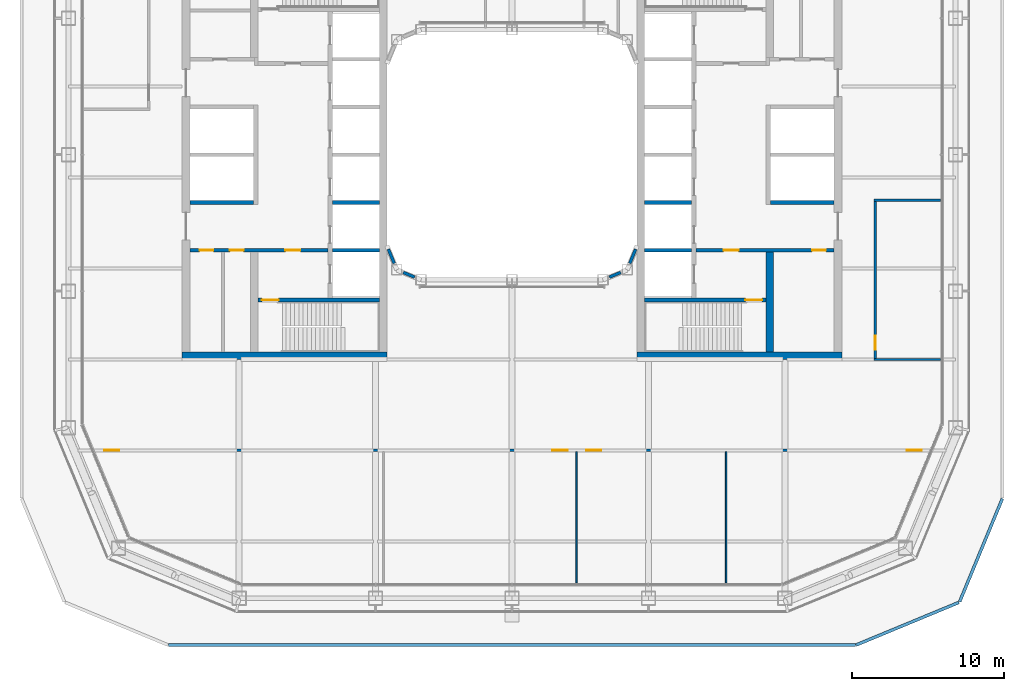
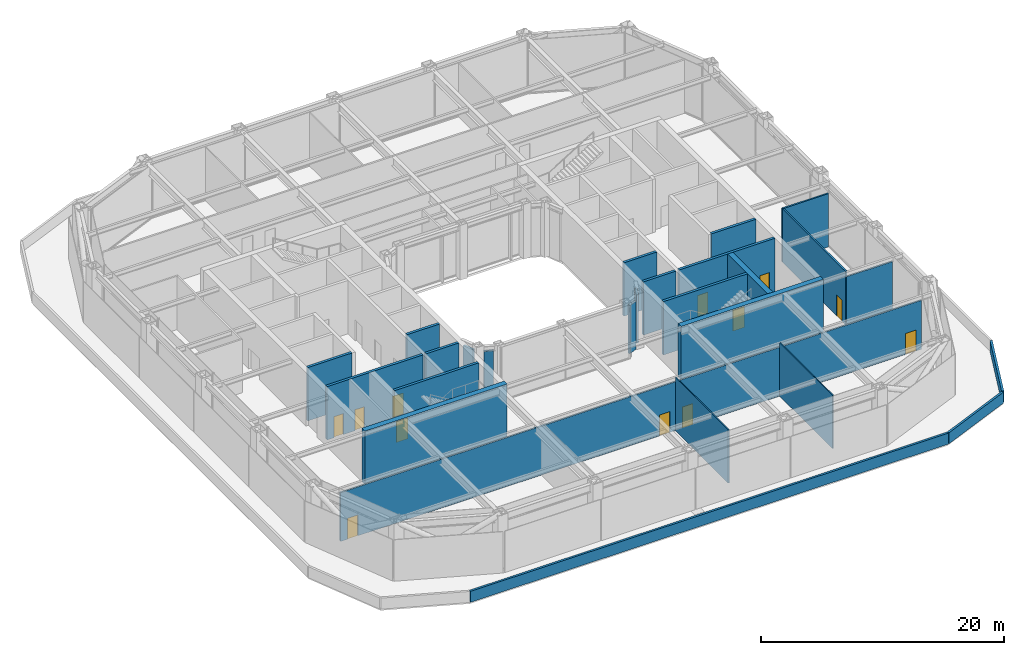
# One storey, part 11 of 21: 26 walls, 12 doors, 12 openings.
"""IFC4 building model written with IfcOpenShell, lengths in metres."""

import ifcopenshell
import ifcopenshell.guid

model = None  # the IFC model being written
_history = None  # IfcOwnerHistory: only IFC2X3 demands one
_inside = {}  # id of a spatial element -> (the spatial element, [elements in it])
_under = {}  # id of a project, library or spatial element -> (it, [spatial elements below it])
_declared = {}  # id of a project -> (the project, [libraries it declares])
_typed = {}  # id of a type object -> (the type object, [elements of that type])
_made_of = {}  # id of a material, layer set ... -> (it, [elements and type objects made of it])


def new_model(schema):
    """Start an empty IFC model of exactly this schema.

    Asked for "IFC4X3", IfcOpenShell would pick the latest addendum, in which some entities
    have other attributes; the version numbers below select the first issue.
    IFC2X3 requires an IfcOwnerHistory on every rooted entity: one is made here for all.
    """
    global model, _history
    if schema == "IFC4X3":
        model = ifcopenshell.file(schema_version=(4, 3, 0, 0))
    else:
        model = ifcopenshell.file(schema=schema)
    _inside.clear()
    _under.clear()
    _declared.clear()
    _typed.clear()
    _made_of.clear()
    _history = None
    if model.schema == "IFC2X3":
        org = make("IfcOrganization", Name="unknown")
        user = make(
            "IfcPersonAndOrganization",
            ThePerson=make("IfcPerson", FamilyName="unknown"),
            TheOrganization=org,
        )
        app = make(
            "IfcApplication",
            ApplicationDeveloper=org,
            Version="unknown",
            ApplicationFullName="unknown",
            ApplicationIdentifier="unknown",
        )
        _history = make(
            "IfcOwnerHistory",
            OwningUser=user,
            OwningApplication=app,
            ChangeAction="ADDED",
            CreationDate=0,
        )
    return model


def make(cls, **values):
    """One entity of the class cls with the attributes given. An attribute that is None is left unset."""
    return model.create_entity(
        cls, **{name: value for name, value in values.items() if value is not None}
    )


def rooted(cls, **values):
    """An entity with a GlobalId (a new one), such as an element, a storey or a relation."""
    return make(cls, GlobalId=ifcopenshell.guid.new(), OwnerHistory=_history, **values)


def si_unit(unit_type, name, prefix=None):
    """IfcSIUnit, for example si_unit("LENGTHUNIT", "METRE", prefix="MILLI")."""
    return make("IfcSIUnit", UnitType=unit_type, Prefix=prefix, Name=name)


def assignment(units):
    """IfcUnitAssignment: the units of a project."""
    return None if units is None else make("IfcUnitAssignment", Units=units)


def point(xyz):
    """IfcCartesianPoint."""
    return None if xyz is None else make("IfcCartesianPoint", Coordinates=xyz)


def direction(xyz):
    """IfcDirection."""
    return None if xyz is None else make("IfcDirection", DirectionRatios=xyz)


def frame(location, z_axis=None, x_axis=None):
    """IfcAxis2Placement3D, a coordinate frame: its origin and axes. An axis left out is left unset."""
    return make(
        "IfcAxis2Placement3D",
        Location=point(location),
        Axis=direction(z_axis),
        RefDirection=direction(x_axis),
    )


def frame_2d(location, x_axis=None):
    """IfcAxis2Placement2D, a coordinate frame in the plane: its origin and x axis."""
    return make(
        "IfcAxis2Placement2D", Location=point(location), RefDirection=direction(x_axis)
    )


def origin():
    """The frame at (0, 0, 0) with its axes left unset."""
    return frame((0.0, 0.0, 0.0))


def place(relative_to, where):
    """IfcLocalPlacement: puts the frame where relative to a parent placement (None: the world)."""
    return make(
        "IfcLocalPlacement", PlacementRelTo=relative_to, RelativePlacement=where
    )


def context(
    kind, dimensions, precision=None, world=None, true_north=None, identifier=None
):
    """IfcGeometricRepresentationContext, for example the 3D "Model" context."""
    return make(
        "IfcGeometricRepresentationContext",
        ContextIdentifier=identifier,
        ContextType=kind,
        CoordinateSpaceDimension=dimensions,
        Precision=precision,
        WorldCoordinateSystem=world,
        TrueNorth=true_north,
    )


def subcontext(parent, identifier, kind, view, scale=None):
    """IfcGeometricRepresentationSubContext, for example "Body" below "Model"."""
    return make(
        "IfcGeometricRepresentationSubContext",
        ContextIdentifier=identifier,
        ContextType=kind,
        ParentContext=parent,
        TargetScale=scale,
        TargetView=view,
    )


def project(units=None, contexts=None):
    """IfcProject with its units and contexts."""
    return rooted(
        "IfcProject",
        Name="project",
        RepresentationContexts=contexts,
        UnitsInContext=assignment(units),
    )


def spatial(cls, under=None, at=None, **own):
    """A site, building, storey or space (cls), placed at a placement, below another one or the project."""
    s = rooted(cls, ObjectPlacement=at, **own)
    if under is not None:
        _under.setdefault(under.id(), (under, []))[1].append(s)
    return s


def profile(cls, at=None, kind="AREA", **sizes):
    """A parametric profile (cls). Its sizes go by their IFC names, for example OverallWidth=200.0."""
    return make(cls, ProfileType=kind, Position=at, **sizes)


def rectangle(**sizes):
    """IfcRectangleProfileDef."""
    return profile("IfcRectangleProfileDef", **sizes)


def extrude(swept, where, along, depth):
    """IfcExtrudedAreaSolid: the profile swept, set in the frame where, extruded along a direction by depth."""
    return make(
        "IfcExtrudedAreaSolid",
        SweptArea=swept,
        Position=where,
        ExtrudedDirection=direction(along),
        Depth=depth,
    )


def shape(context_of_items, identifier, shape_type, items):
    """IfcShapeRepresentation: the items that make up one representation, for example the "Body"."""
    return make(
        "IfcShapeRepresentation",
        ContextOfItems=context_of_items,
        RepresentationIdentifier=identifier,
        RepresentationType=shape_type,
        Items=items,
    )


def material(Name=None, Category=None):
    """IfcMaterial."""
    return make("IfcMaterial", Name=Name, Category=Category)


def layer(
    of_material, thickness, ventilated=None, Name=None, Category=None, Priority=None
):
    """IfcMaterialLayer: one layer of a wall or slab, of a material (None: an air gap)."""
    return make(
        "IfcMaterialLayer",
        Material=of_material,
        LayerThickness=thickness,
        IsVentilated=ventilated,
        Name=Name,
        Category=Category,
        Priority=Priority,
    )


def layer_set(layers, Name=None):
    """IfcMaterialLayerSet."""
    return make("IfcMaterialLayerSet", MaterialLayers=layers, LayerSetName=Name)


def made_of(thing, what):
    """Note that an element or type object is made of a material, layer set ...; save() writes the relation."""
    if what is not None:
        _made_of.setdefault(what.id(), (what, []))[1].append(thing)
    return thing


def type_object(cls, material=None, **own):
    """A type object (cls), such as IfcWallType, which elements share."""
    return made_of(rooted(cls, **own), material)


def element(
    cls,
    number,
    at=None,
    inside=None,
    cuts=None,
    type_object=None,
    material=None,
    context=None,
    identifier="Body",
    shape_type=None,
    held_by="IfcProductDefinitionShape",
    body=None,
    shapes=None,
    **own,
):
    """One element of the class cls, such as IfcWall. Its Tag is "e" and its number.

    at: its placement. inside: the storey or other place that contains it. cuts: it is an
    opening in that element (IfcRelVoidsElement). A single representation is given by context,
    identifier, shape_type and body (its items); several are given by shapes. held_by: the class
    of the entity that holds the representations. save() writes the other relations.
    """
    e = rooted(cls, Tag="e%d" % number, ObjectPlacement=at, **own)
    if body is not None:
        shapes = [shape(context, identifier, shape_type, body)]
    if shapes is not None:
        e.Representation = make(held_by, Representations=shapes)
    if inside is not None:
        _inside.setdefault(inside.id(), (inside, []))[1].append(e)
    if cuts is not None:
        rooted(
            "IfcRelVoidsElement", RelatingBuildingElement=cuts, RelatedOpeningElement=e
        )
    if type_object is not None:
        _typed.setdefault(type_object.id(), (type_object, []))[1].append(e)
    return made_of(e, material)


def fill(opening, filler):
    """IfcRelFillsElement: the door or window that sits in an opening."""
    return rooted(
        "IfcRelFillsElement",
        RelatingOpeningElement=opening,
        RelatedBuildingElement=filler,
    )


def aggregate(whole, parts):
    """IfcRelAggregates: a whole, such as a stair, and the parts it consists of."""
    return rooted("IfcRelAggregates", RelatingObject=whole, RelatedObjects=parts)


def save(model, path):
    """Write the relations noted so far, then the file.

    IfcRelAggregates (storeys below a building ...), IfcRelContainedInSpatialStructure (elements
    in a storey), IfcRelDefinesByType, IfcRelAssociatesMaterial and IfcRelDeclares: one each for
    every whole, place, type object, material and project.
    """
    for whole, parts in _under.values():
        aggregate(whole, parts)
    for where, things in _inside.values():
        rooted(
            "IfcRelContainedInSpatialStructure",
            RelatedElements=things,
            RelatingStructure=where,
        )
    for kind, things in _typed.values():
        rooted("IfcRelDefinesByType", RelatedObjects=things, RelatingType=kind)
    for what, things in _made_of.values():
        rooted("IfcRelAssociatesMaterial", RelatedObjects=things, RelatingMaterial=what)
    for by, libraries in _declared.values():
        rooted("IfcRelDeclares", RelatingContext=by, RelatedDefinitions=libraries)
    model.write(path)


model = new_model("IFC4")

# Units and contexts
model_context = context("Model", 3, precision=1e-05, world=origin(), true_north=direction((0.0, 1.0)))
body_context = subcontext(model_context, "Body", "Model", "MODEL_VIEW")
ifc_project = project(units=[si_unit("LENGTHUNIT", "METRE"), si_unit("AREAUNIT", "SQUARE_METRE"), si_unit("VOLUMEUNIT", "CUBIC_METRE"), si_unit("PLANEANGLEUNIT", "RADIAN"), si_unit("MASSUNIT", "GRAM", prefix="KILO")], contexts=[model_context])

# Site, building, storey
site_placement = place(None, origin())
site = spatial("IfcSite", under=ifc_project, at=site_placement, CompositionType="ELEMENT")
building_placement = place(site_placement, origin())
building = spatial("IfcBuilding", under=site, at=building_placement, Name="Siwar Civic Tower", CompositionType="ELEMENT")
storey_placement = place(building_placement, frame((0.0, 0.0, 99.199951171875)))
storey = spatial("IfcBuildingStorey", under=building, at=storey_placement, Name="L21", CompositionType="ELEMENT", Elevation=99.199951171875)

# Walls
ifc_material_1 = material(Name="Gypsum board on steel studs", Category="steel")
ifc_layer_1 = layer(ifc_material_1, 0.14990234375)
ifc_layer_set_1 = layer_set([ifc_layer_1], Name="Gypsum board on steel studs")
wall_type_1 = type_object("IfcWallType", Name="COMPARTMENT PARTITION 150 EI 60", PredefinedType="PARTITIONING", material=ifc_layer_set_1)
wall_1_placement = place(storey_placement, frame((23.875, -13.5, 0.0), z_axis=(0.0, 0.0, 1.0), x_axis=(1.0, 0.0, 0.0)))
element("IfcWall", 1, at=wall_1_placement, inside=storey, type_object=wall_type_1, Name="L21/wall/P02", PredefinedType="PARTITIONING", context=body_context, shape_type="SweptSolid", body=[
    extrude(rectangle(XDim=4.385009765625, YDim=0.14990234375, at=frame_2d((2.1923828125, 0.0))), origin(), (0.0, 0.0, 1.0), 4.900146484375),
])
wall_2_placement = place(storey_placement, frame((23.875, -3.0, 0.0), z_axis=(0.0, 0.0, 1.0), x_axis=(1.0, 0.0, 0.0)))
element("IfcWall", 2, at=wall_2_placement, inside=storey, type_object=wall_type_1, Name="L21/wall/P03", PredefinedType="PARTITIONING", context=body_context, shape_type="SweptSolid", body=[
    extrude(rectangle(XDim=4.385009765625, YDim=0.14990234375, at=frame_2d((2.1923828125, 0.0))), origin(), (0.0, 0.0, 1.0), 5.35009765625),
])

# Wall, opening, door
wall_3_placement = place(storey_placement, frame((23.949951171875, -13.425048828125, 0.0), z_axis=(0.0, 0.0, 1.0), x_axis=(0.0, 1.0, 0.0)))
wall_3 = element("IfcWall", 3, at=wall_3_placement, inside=storey, type_object=wall_type_1, Name="L21/wall/P20", PredefinedType="PARTITIONING", context=body_context, shape_type="SweptSolid", body=[
    extrude(rectangle(XDim=10.35009765625, YDim=0.14990234375, at=frame_2d((5.175048828125, 0.0))), origin(), (0.0, 0.0, 1.0), 5.35009765625),
])
opening_1_placement = place(wall_3_placement, frame((0.574951171875, 0.0, 0.0)))
opening_1 = element("IfcOpeningElement", 4, at=opening_1_placement, cuts=wall_3, Name="Opening D4", PredefinedType="OPENING", context=body_context, shape_type="SweptSolid", body=[
    extrude(rectangle(XDim=0.89990234375, YDim=2.10009765625, at=frame_2d((0.449951171875, 1.050048828125))), frame((0.0, 0.0849609375, 0.0), z_axis=(0.0, -1.0, 0.0), x_axis=(1.0, 0.0, 0.0)), (0.0, 0.0, 1.0), 0.169921875),
])
ifc_material_2 = material(Name="Timber, painted", Category="wood")
door_type_1 = type_object("IfcDoorType", Name="DOOR 900 X 2100 FD60", OperationType="SINGLE_SWING_LEFT", PredefinedType="DOOR", material=ifc_material_2)
door_1_placement = place(opening_1_placement, origin())
door_1 = element("IfcDoor", 5, at=door_1_placement, inside=storey, type_object=door_type_1, Name="L21-D15", OperationType="SINGLE_SWING_LEFT", OverallHeight=2.10009765625, OverallWidth=0.89990234375, PredefinedType="DOOR", context=body_context, shape_type="SweptSolid", body=[
    extrude(rectangle(XDim=0.89990234375, YDim=2.10009765625, at=frame_2d((0.449951171875, 1.050048828125))), frame((0.0, 0.02490234375, 0.0), z_axis=(0.0, -1.0, 0.0), x_axis=(1.0, 0.0, 0.0)), (0.0, 0.0, 1.0), 0.050048828125),
])
fill(opening_1, door_1)

# Wall, openings, doors
ifc_material_3 = material(Name="Concrete C60/75", Category="concrete")
ifc_layer_2 = layer(ifc_material_3, 0.25)
ifc_layer_set_2 = layer_set([ifc_layer_2], Name="Concrete C60/75")
wall_type_2 = type_object("IfcWallType", Name="CORE-WALL-RC250", PredefinedType="SHEAR", material=ifc_layer_set_2)
wall_4_placement = place(storey_placement, frame((-12.14990234375, -6.300048828125, 0.0), z_axis=(0.0, 0.0, 1.0), x_axis=(-1.0, 0.0, 0.0)))
wall_4 = element("IfcWall", 6, at=wall_4_placement, inside=storey, type_object=wall_type_2, Name="Core wall W", PredefinedType="SHEAR", context=body_context, shape_type="SweptSolid", body=[
    extrude(rectangle(XDim=9.10009765625, YDim=0.25, at=frame_2d((4.550048828125, 0.0))), origin(), (0.0, 0.0, 1.0), 5.35009765625),
])
opening_2_placement = place(wall_4_placement, frame((1.800048828125, 0.0, 0.0)))
opening_2 = element("IfcOpeningElement", 7, at=opening_2_placement, cuts=wall_4, Name="Opening L21-CW02", PredefinedType="OPENING", context=body_context, shape_type="SweptSolid", body=[
    extrude(rectangle(XDim=1.0, YDim=2.10009765625, at=frame_2d((0.5, 1.050048828125))), frame((0.0, 0.135009765625, 0.0), z_axis=(0.0, -1.0, 0.0), x_axis=(1.0, 0.0, 0.0)), (0.0, 0.0, 1.0), 0.27001953125),
])
opening_3_placement = place(wall_4_placement, frame((5.550048828125, 0.0, 0.0)))
opening_3 = element("IfcOpeningElement", 8, at=opening_3_placement, cuts=wall_4, Name="Opening L21-CW15", PredefinedType="OPENING", context=body_context, shape_type="SweptSolid", body=[
    extrude(rectangle(XDim=0.89990234375, YDim=2.10009765625, at=frame_2d((0.449951171875, 1.050048828125))), frame((0.0, 0.135009765625, 0.0), z_axis=(0.0, -1.0, 0.0), x_axis=(1.0, 0.0, 0.0)), (0.0, 0.0, 1.0), 0.27001953125),
])
opening_4_placement = place(wall_4_placement, frame((7.550048828125, 0.0, 0.0)))
opening_4 = element("IfcOpeningElement", 9, at=opening_4_placement, cuts=wall_4, Name="Opening L21-CW16", PredefinedType="OPENING", context=body_context, shape_type="SweptSolid", body=[
    extrude(rectangle(XDim=0.89990234375, YDim=2.10009765625, at=frame_2d((0.449951171875, 1.050048828125))), frame((0.0, 0.135009765625, 0.0), z_axis=(0.0, -1.0, 0.0), x_axis=(1.0, 0.0, 0.0)), (0.0, 0.0, 1.0), 0.27001953125),
])
ifc_material_4 = material(Name="Steel door leaf", Category="steel")
door_type_2 = type_object("IfcDoorType", Name="CORE-DOOR-FD30S", OperationType="SINGLE_SWING_LEFT", PredefinedType="DOOR", material=ifc_material_4)
door_2_placement = place(opening_2_placement, origin())
door_2 = element("IfcDoor", 10, at=door_2_placement, inside=storey, type_object=door_type_2, Name="Service lobby door L21-CW02", OperationType="SINGLE_SWING_RIGHT", OverallHeight=2.10009765625, OverallWidth=1.0, PredefinedType="DOOR", context=body_context, shape_type="SweptSolid", body=[
    extrude(rectangle(XDim=1.0, YDim=2.10009765625, at=frame_2d((0.5, 1.050048828125))), frame((0.0, 0.02490234375, 0.0), z_axis=(0.0, -1.0, 0.0), x_axis=(1.0, 0.0, 0.0)), (0.0, 0.0, 1.0), 0.050048828125),
])
fill(opening_2, door_2)
ifc_material_5 = material(Name="Steel door leaf", Category="steel")
door_type_3 = type_object("IfcDoorType", Name="CORE-DOOR-ROOM", OperationType="SINGLE_SWING_LEFT", PredefinedType="DOOR", material=ifc_material_5)
door_3_placement = place(opening_3_placement, origin())
door_3 = element("IfcDoor", 11, at=door_3_placement, inside=storey, type_object=door_type_3, Name="Core room door L21-CW15", OperationType="SINGLE_SWING_LEFT", OverallHeight=2.10009765625, OverallWidth=0.89990234375, PredefinedType="DOOR", context=body_context, shape_type="SweptSolid", body=[
    extrude(rectangle(XDim=0.89990234375, YDim=2.10009765625, at=frame_2d((0.449951171875, 1.050048828125))), frame((0.0, 0.02490234375, 0.0), z_axis=(0.0, -1.0, 0.0), x_axis=(1.0, 0.0, 0.0)), (0.0, 0.0, 1.0), 0.050048828125),
])
fill(opening_3, door_3)
door_4_placement = place(opening_4_placement, origin())
door_4 = element("IfcDoor", 12, at=door_4_placement, inside=storey, type_object=door_type_3, Name="Core room door L21-CW16", OperationType="SINGLE_SWING_RIGHT", OverallHeight=2.10009765625, OverallWidth=0.89990234375, PredefinedType="DOOR", context=body_context, shape_type="SweptSolid", body=[
    extrude(rectangle(XDim=0.89990234375, YDim=2.10009765625, at=frame_2d((0.449951171875, 1.050048828125))), frame((0.0, 0.02490234375, 0.0), z_axis=(0.0, -1.0, 0.0), x_axis=(1.0, 0.0, 0.0)), (0.0, 0.0, 1.0), 0.050048828125),
])
fill(opening_4, door_4)

# Walls
wall_5_placement = place(storey_placement, frame((-17.050048828125, -3.14990234375, 0.0), z_axis=(0.0, 0.0, 1.0), x_axis=(-1.0, 0.0, 0.0)))
element("IfcWall", 13, at=wall_5_placement, inside=storey, type_object=wall_type_2, Name="Core wall W", PredefinedType="SHEAR", context=body_context, shape_type="SweptSolid", body=[
    extrude(rectangle(XDim=4.199951171875, YDim=0.25, at=frame_2d((2.10009765625, 0.0))), origin(), (0.0, 0.0, 1.0), 5.35009765625),
])
for number, where, z_axis, x_axis, name in (
    (14, (-8.75, -3.14990234375, 0.0), (0.0, 0.0, 1.0), (-1.0, 0.0, 0.0), "Core wall W"),
    (15, (-8.75, -6.300048828125, 0.0), (0.0, 0.0, 1.0), (-1.0, 0.0, 0.0), "Core wall W"),
):
    element("IfcWall", number, at=place(storey_placement, frame(where, z_axis=z_axis, x_axis=x_axis)), inside=storey, type_object=wall_type_2, Name=name, PredefinedType="SHEAR", context=body_context, shape_type="SweptSolid", body=[
        extrude(rectangle(XDim=3.10009765625, YDim=0.25, at=frame_2d((1.550048828125, 0.0))), origin(), (0.0, 0.0, 1.0), 5.35009765625),
    ])

# Wall, opening, door
wall_6_placement = place(storey_placement, frame((-8.75, -9.574951171875, 0.0), z_axis=(0.0, 0.0, 1.0), x_axis=(-1.0, 0.0, 0.0)))
wall_6 = element("IfcWall", 16, at=wall_6_placement, inside=storey, type_object=wall_type_2, Name="Core wall W", PredefinedType="SHEAR", context=body_context, shape_type="SweptSolid", body=[
    extrude(rectangle(XDim=8.0, YDim=0.25, at=frame_2d((4.0, 0.0))), origin(), (0.0, 0.0, 1.0), 5.35009765625),
])
opening_5_placement = place(wall_6_placement, frame((6.64990234375, 0.0, 0.0)))
opening_5 = element("IfcOpeningElement", 17, at=opening_5_placement, cuts=wall_6, Name="Opening L21-CW04", PredefinedType="OPENING", context=body_context, shape_type="SweptSolid", body=[
    extrude(rectangle(XDim=1.10009765625, YDim=2.10009765625, at=frame_2d((0.550048828125, 1.050048828125))), frame((0.0, 0.135009765625, 0.0), z_axis=(0.0, -1.0, 0.0), x_axis=(1.0, 0.0, 0.0)), (0.0, 0.0, 1.0), 0.27001953125),
])
ifc_material_6 = material(Name="Steel door leaf", Category="steel")
door_type_4 = type_object("IfcDoorType", Name="CORE-DOOR-FD60S", OperationType="SINGLE_SWING_LEFT", PredefinedType="DOOR", material=ifc_material_6)
door_5_placement = place(opening_5_placement, origin())
door_5 = element("IfcDoor", 18, at=door_5_placement, inside=storey, type_object=door_type_4, Name="Stair door L21-CW04", OperationType="SINGLE_SWING_LEFT", OverallHeight=2.10009765625, OverallWidth=1.10009765625, PredefinedType="DOOR", context=body_context, shape_type="SweptSolid", body=[
    extrude(rectangle(XDim=1.10009765625, YDim=2.10009765625, at=frame_2d((0.550048828125, 1.050048828125))), frame((0.0, 0.02490234375, 0.0), z_axis=(0.0, -1.0, 0.0), x_axis=(1.0, 0.0, 0.0)), (0.0, 0.0, 1.0), 0.050048828125),
])
fill(opening_5, door_5)

# Wall, openings, doors
wall_7_placement = place(storey_placement, frame((12.14990234375, -6.300048828125, 0.0), z_axis=(0.0, 0.0, 1.0), x_axis=(1.0, 0.0, 0.0)))
wall_7 = element("IfcWall", 19, at=wall_7_placement, inside=storey, type_object=wall_type_2, Name="Core wall E", PredefinedType="SHEAR", context=body_context, shape_type="SweptSolid", body=[
    extrude(rectangle(XDim=9.10009765625, YDim=0.25, at=frame_2d((4.550048828125, 0.0))), origin(), (0.0, 0.0, 1.0), 5.35009765625),
])
opening_6_placement = place(wall_7_placement, frame((1.800048828125, 0.0, 0.0)))
opening_6 = element("IfcOpeningElement", 20, at=opening_6_placement, cuts=wall_7, Name="Opening L21-CE02", PredefinedType="OPENING", context=body_context, shape_type="SweptSolid", body=[
    extrude(rectangle(XDim=1.0, YDim=2.10009765625, at=frame_2d((0.5, 1.050048828125))), frame((0.0, 0.135009765625, 0.0), z_axis=(0.0, -1.0, 0.0), x_axis=(1.0, 0.0, 0.0)), (0.0, 0.0, 1.0), 0.27001953125),
])
opening_7_placement = place(wall_7_placement, frame((7.64990234375, 0.0, 0.0)))
opening_7 = element("IfcOpeningElement", 21, at=opening_7_placement, cuts=wall_7, Name="Opening L21-CE15", PredefinedType="OPENING", context=body_context, shape_type="SweptSolid", body=[
    extrude(rectangle(XDim=0.89990234375, YDim=2.10009765625, at=frame_2d((0.449951171875, 1.050048828125))), frame((0.0, 0.135009765625, 0.0), z_axis=(0.0, -1.0, 0.0), x_axis=(1.0, 0.0, 0.0)), (0.0, 0.0, 1.0), 0.27001953125),
])
door_6_placement = place(opening_6_placement, origin())
door_6 = element("IfcDoor", 22, at=door_6_placement, inside=storey, type_object=door_type_2, Name="Service lobby door L21-CE02", OperationType="SINGLE_SWING_LEFT", OverallHeight=2.10009765625, OverallWidth=1.0, PredefinedType="DOOR", context=body_context, shape_type="SweptSolid", body=[
    extrude(rectangle(XDim=1.0, YDim=2.10009765625, at=frame_2d((0.5, 1.050048828125))), frame((0.0, 0.02490234375, 0.0), z_axis=(0.0, -1.0, 0.0), x_axis=(1.0, 0.0, 0.0)), (0.0, 0.0, 1.0), 0.050048828125),
])
fill(opening_6, door_6)
door_7_placement = place(opening_7_placement, origin())
door_7 = element("IfcDoor", 23, at=door_7_placement, inside=storey, type_object=door_type_3, Name="Core room door L21-CE15", OperationType="SINGLE_SWING_RIGHT", OverallHeight=2.10009765625, OverallWidth=0.89990234375, PredefinedType="DOOR", context=body_context, shape_type="SweptSolid", body=[
    extrude(rectangle(XDim=0.89990234375, YDim=2.10009765625, at=frame_2d((0.449951171875, 1.050048828125))), frame((0.0, 0.02490234375, 0.0), z_axis=(0.0, -1.0, 0.0), x_axis=(1.0, 0.0, 0.0)), (0.0, 0.0, 1.0), 0.050048828125),
])
fill(opening_7, door_7)

# Walls
wall_8_placement = place(storey_placement, frame((17.050048828125, -3.14990234375, 0.0), z_axis=(0.0, 0.0, 1.0), x_axis=(1.0, 0.0, 0.0)))
element("IfcWall", 24, at=wall_8_placement, inside=storey, type_object=wall_type_2, Name="Core wall E", PredefinedType="SHEAR", context=body_context, shape_type="SweptSolid", body=[
    extrude(rectangle(XDim=4.199951171875, YDim=0.25, at=frame_2d((2.10009765625, 0.0))), origin(), (0.0, 0.0, 1.0), 5.35009765625),
])
for number, where, z_axis, x_axis, name in (
    (25, (8.75, -3.14990234375, 0.0), (0.0, 0.0, 1.0), (1.0, 0.0, 0.0), "Core wall E"),
    (26, (8.75, -6.300048828125, 0.0), (0.0, 0.0, 1.0), (1.0, 0.0, 0.0), "Core wall E"),
):
    element("IfcWall", number, at=place(storey_placement, frame(where, z_axis=z_axis, x_axis=x_axis)), inside=storey, type_object=wall_type_2, Name=name, PredefinedType="SHEAR", context=body_context, shape_type="SweptSolid", body=[
        extrude(rectangle(XDim=3.10009765625, YDim=0.25, at=frame_2d((1.550048828125, 0.0))), origin(), (0.0, 0.0, 1.0), 5.35009765625),
    ])

# Wall, opening, door
wall_9_placement = place(storey_placement, frame((8.75, -9.574951171875, 0.0), z_axis=(0.0, 0.0, 1.0), x_axis=(1.0, 0.0, 0.0)))
wall_9 = element("IfcWall", 27, at=wall_9_placement, inside=storey, type_object=wall_type_2, Name="Core wall E", PredefinedType="SHEAR", context=body_context, shape_type="SweptSolid", body=[
    extrude(rectangle(XDim=8.0, YDim=0.25, at=frame_2d((4.0, 0.0))), origin(), (0.0, 0.0, 1.0), 5.35009765625),
])
opening_8_placement = place(wall_9_placement, frame((6.64990234375, 0.0, 0.0)))
opening_8 = element("IfcOpeningElement", 28, at=opening_8_placement, cuts=wall_9, Name="Opening L21-CE04", PredefinedType="OPENING", context=body_context, shape_type="SweptSolid", body=[
    extrude(rectangle(XDim=1.10009765625, YDim=2.10009765625, at=frame_2d((0.550048828125, 1.050048828125))), frame((0.0, 0.135009765625, 0.0), z_axis=(0.0, -1.0, 0.0), x_axis=(1.0, 0.0, 0.0)), (0.0, 0.0, 1.0), 0.27001953125),
])
door_8_placement = place(opening_8_placement, origin())
door_8 = element("IfcDoor", 29, at=door_8_placement, inside=storey, type_object=door_type_4, Name="Stair door L21-CE04", OperationType="SINGLE_SWING_RIGHT", OverallHeight=2.10009765625, OverallWidth=1.10009765625, PredefinedType="DOOR", context=body_context, shape_type="SweptSolid", body=[
    extrude(rectangle(XDim=1.10009765625, YDim=2.10009765625, at=frame_2d((0.550048828125, 1.050048828125))), frame((0.0, 0.02490234375, 0.0), z_axis=(0.0, -1.0, 0.0), x_axis=(1.0, 0.0, 0.0)), (0.0, 0.0, 1.0), 0.050048828125),
])
fill(opening_8, door_8)

# Walls
ifc_material_7 = material(Name="Concrete C60/75", Category="concrete")
ifc_layer_3 = layer(ifc_material_7, 0.5)
ifc_layer_set_3 = layer_set([ifc_layer_3], Name="Concrete C60/75")
wall_type_3 = type_object("IfcWallType", Name="CORE-WALL-RC500", PredefinedType="SHEAR", material=ifc_layer_set_3)
wall_10_placement = place(storey_placement, frame((-8.25, -13.25, 0.0), z_axis=(0.0, 0.0, 1.0), x_axis=(-1.0, 0.0, 0.0)))
element("IfcWall", 30, at=wall_10_placement, inside=storey, type_object=wall_type_3, Name="Core wall W", PredefinedType="SHEAR", context=body_context, shape_type="SweptSolid", body=[
    extrude(rectangle(XDim=13.5, YDim=0.5, at=frame_2d((6.75, 0.0))), origin(), (0.0, 0.0, 1.0), 5.35009765625),
])
wall_11_placement = place(storey_placement, frame((17.0, -13.0, 0.0), z_axis=(0.0, 0.0, 1.0), x_axis=(0.0, 1.0, 0.0)))
element("IfcWall", 31, at=wall_11_placement, inside=storey, type_object=wall_type_3, Name="Core wall E", PredefinedType="SHEAR", context=body_context, shape_type="SweptSolid", body=[
    extrude(rectangle(XDim=6.574951171875, YDim=0.5, at=frame_2d((3.28759765625, 0.0))), origin(), (0.0, 0.0, 1.0), 5.35009765625),
])
wall_12_placement = place(storey_placement, frame((8.25, -13.25, 0.0), z_axis=(0.0, 0.0, 1.0), x_axis=(1.0, 0.0, 0.0)))
element("IfcWall", 32, at=wall_12_placement, inside=storey, type_object=wall_type_3, Name="Core wall E", PredefinedType="SHEAR", context=body_context, shape_type="SweptSolid", body=[
    extrude(rectangle(XDim=13.5, YDim=0.5, at=frame_2d((6.75, 0.0))), origin(), (0.0, 0.0, 1.0), 5.35009765625),
])

# Wall, openings, doors
ifc_material_8 = material(Name="Gypsum board on steel studs", Category="steel")
ifc_layer_4 = layer(ifc_material_8, 0.14990234375)
ifc_layer_set_4 = layer_set([ifc_layer_4], Name="Gypsum board on steel studs")
wall_type_4 = type_object("IfcWallType", Name="CORRIDOR PARTITION 150 EI 30", PredefinedType="PARTITIONING", material=ifc_layer_set_4)
wall_13_placement = place(storey_placement, frame((-27.556884765625, -19.5, 0.0), z_axis=(0.0, 0.0, 1.0), x_axis=(1.0, 0.0, 0.0)))
wall_13 = element("IfcWall", 33, at=wall_13_placement, inside=storey, type_object=wall_type_4, Name="L21/wall/P01", PredefinedType="PARTITIONING", context=body_context, shape_type="SweptSolid", body=[
    extrude(rectangle(XDim=55.11376953125, YDim=0.14990234375, at=frame_2d((27.556884765625, 0.0))), origin(), (0.0, 0.0, 1.0), 4.900146484375),
])
opening_9_placement = place(wall_13_placement, frame((0.64990234375, 0.0, 0.0)))
opening_9 = element("IfcOpeningElement", 34, at=opening_9_placement, cuts=wall_13, Name="Opening D1", PredefinedType="OPENING", context=body_context, shape_type="SweptSolid", body=[
    extrude(rectangle(XDim=1.0, YDim=2.10009765625, at=frame_2d((0.5, 1.050048828125))), frame((0.0, 0.0849609375, 0.0), z_axis=(0.0, -1.0, 0.0), x_axis=(1.0, 0.0, 0.0)), (0.0, 0.0, 1.0), 0.169921875),
])
opening_10_placement = place(wall_13_placement, frame((30.22705078125, 0.0, 0.0)))
opening_10 = element("IfcOpeningElement", 35, at=opening_10_placement, cuts=wall_13, Name="Opening D1", PredefinedType="OPENING", context=body_context, shape_type="SweptSolid", body=[
    extrude(rectangle(XDim=1.0, YDim=2.10009765625, at=frame_2d((0.5, 1.050048828125))), frame((0.0, 0.0849609375, 0.0), z_axis=(0.0, -1.0, 0.0), x_axis=(1.0, 0.0, 0.0)), (0.0, 0.0, 1.0), 0.169921875),
])
opening_11_placement = place(wall_13_placement, frame((32.447021484375, 0.0, 0.0)))
opening_11 = element("IfcOpeningElement", 36, at=opening_11_placement, cuts=wall_13, Name="Opening D1", PredefinedType="OPENING", context=body_context, shape_type="SweptSolid", body=[
    extrude(rectangle(XDim=1.0, YDim=2.10009765625, at=frame_2d((0.5, 1.050048828125))), frame((0.0, 0.0849609375, 0.0), z_axis=(0.0, -1.0, 0.0), x_axis=(1.0, 0.0, 0.0)), (0.0, 0.0, 1.0), 0.169921875),
])
opening_12_placement = place(wall_13_placement, frame((53.5869140625, 0.0, 0.0)))
opening_12 = element("IfcOpeningElement", 37, at=opening_12_placement, cuts=wall_13, Name="Opening D1", PredefinedType="OPENING", context=body_context, shape_type="SweptSolid", body=[
    extrude(rectangle(XDim=1.0, YDim=2.10009765625, at=frame_2d((0.5, 1.050048828125))), frame((0.0, 0.0849609375, 0.0), z_axis=(0.0, -1.0, 0.0), x_axis=(1.0, 0.0, 0.0)), (0.0, 0.0, 1.0), 0.169921875),
])
ifc_material_9 = material(Name="Timber, painted", Category="wood")
door_type_5 = type_object("IfcDoorType", Name="DOOR 1000 X 2100 FD30", OperationType="SINGLE_SWING_LEFT", PredefinedType="DOOR", material=ifc_material_9)
door_9_placement = place(opening_9_placement, origin())
door_9 = element("IfcDoor", 38, at=door_9_placement, inside=storey, type_object=door_type_5, Name="L21-D05", OperationType="SINGLE_SWING_LEFT", OverallHeight=2.10009765625, OverallWidth=1.0, PredefinedType="DOOR", context=body_context, shape_type="SweptSolid", body=[
    extrude(rectangle(XDim=1.0, YDim=2.10009765625, at=frame_2d((0.5, 1.050048828125))), frame((0.0, 0.02490234375, 0.0), z_axis=(0.0, -1.0, 0.0), x_axis=(1.0, 0.0, 0.0)), (0.0, 0.0, 1.0), 0.050048828125),
])
fill(opening_9, door_9)
door_10_placement = place(opening_10_placement, origin())
door_10 = element("IfcDoor", 39, at=door_10_placement, inside=storey, type_object=door_type_5, Name="L21-D06", OperationType="SINGLE_SWING_RIGHT", OverallHeight=2.10009765625, OverallWidth=1.0, PredefinedType="DOOR", context=body_context, shape_type="SweptSolid", body=[
    extrude(rectangle(XDim=1.0, YDim=2.10009765625, at=frame_2d((0.5, 1.050048828125))), frame((0.0, 0.02490234375, 0.0), z_axis=(0.0, -1.0, 0.0), x_axis=(1.0, 0.0, 0.0)), (0.0, 0.0, 1.0), 0.050048828125),
])
fill(opening_10, door_10)
door_11_placement = place(opening_11_placement, origin())
door_11 = element("IfcDoor", 40, at=door_11_placement, inside=storey, type_object=door_type_5, Name="L21-D07", OperationType="SINGLE_SWING_LEFT", OverallHeight=2.10009765625, OverallWidth=1.0, PredefinedType="DOOR", context=body_context, shape_type="SweptSolid", body=[
    extrude(rectangle(XDim=1.0, YDim=2.10009765625, at=frame_2d((0.5, 1.050048828125))), frame((0.0, 0.02490234375, 0.0), z_axis=(0.0, -1.0, 0.0), x_axis=(1.0, 0.0, 0.0)), (0.0, 0.0, 1.0), 0.050048828125),
])
fill(opening_11, door_11)
door_12_placement = place(opening_12_placement, origin())
door_12 = element("IfcDoor", 41, at=door_12_placement, inside=storey, type_object=door_type_5, Name="L21-D08", OperationType="SINGLE_SWING_RIGHT", OverallHeight=2.10009765625, OverallWidth=1.0, PredefinedType="DOOR", context=body_context, shape_type="SweptSolid", body=[
    extrude(rectangle(XDim=1.0, YDim=2.10009765625, at=frame_2d((0.5, 1.050048828125))), frame((0.0, 0.02490234375, 0.0), z_axis=(0.0, -1.0, 0.0), x_axis=(1.0, 0.0, 0.0)), (0.0, 0.0, 1.0), 0.050048828125),
])
fill(opening_12, door_12)

# Walls
ifc_material_10 = material(Name="Aluminium clad insulated panel", Category="aluminium")
ifc_layer_5 = layer(ifc_material_10, 0.199951171875)
ifc_layer_set_5 = layer_set([ifc_layer_5], Name="Aluminium clad insulated panel")
wall_type_5 = type_object("IfcWallType", Name="ENV-PARAPET", PredefinedType="PARAPET", material=ifc_layer_set_5)
wall_14_placement = place(storey_placement, frame((-22.649169921875, -32.35009765625, 0.0), z_axis=(0.0, 0.0, 1.0), x_axis=(1.0, 0.0, 0.0)))
element("IfcWall", 42, at=wall_14_placement, inside=storey, type_object=wall_type_5, Name="Parapet L20 roof 1.2", PredefinedType="PARAPET", context=body_context, shape_type="SweptSolid", body=[
    extrude(rectangle(XDim=45.29833984375, YDim=0.199951171875, at=frame_2d((22.649169921875, 0.0))), origin(), (0.0, 0.0, 1.0), 1.10009765625),
])
for number, where, z_axis, x_axis, name in (
    (43, (22.6875, -32.34228515625, 0.0), (0.0, 0.0, 1.0), (0.923879961605, 0.382682396439, 0.0), "Parapet L20 roof 1.3"),
    (44, (29.5302734375, -29.476318359375, 0.0), (0.0, 0.0, 1.0), (0.382682396439, 0.923879961605, 0.0), "Parapet L20 roof 1.4"),
):
    element("IfcWall", number, at=place(storey_placement, frame(where, z_axis=z_axis, x_axis=x_axis)), inside=storey, type_object=wall_type_5, Name=name, PredefinedType="PARAPET", context=body_context, shape_type="SweptSolid", body=[
        extrude(rectangle(XDim=7.34814453125, YDim=0.199951171875, at=frame_2d((3.674072265625, 0.0))), origin(), (0.0, 0.0, 1.0), 1.10009765625),
    ])
ifc_material_11 = material(Name="Aluminium clad insulated panel", Category="aluminium")
ifc_layer_6 = layer(ifc_material_11, 0.199951171875)
ifc_layer_set_6 = layer_set([ifc_layer_6], Name="Aluminium clad insulated panel")
wall_type_6 = type_object("IfcWallType", Name="ENV-WALL-WELL", PredefinedType="STANDARD", material=ifc_layer_set_6)
wall_15_placement = place(storey_placement, frame((6.422607421875, -8.074951171875, 0.0), z_axis=(0.0, 0.0, 1.0), x_axis=(0.923817771127, 0.382832503518, 0.0)))
element("IfcWall", 45, at=wall_15_placement, inside=storey, type_object=wall_type_6, Name="Light well corner wall SE1", PredefinedType="STANDARD", context=body_context, shape_type="SweptSolid", body=[
    extrude(rectangle(XDim=0.807373046875, YDim=0.199951171875, at=frame_2d((0.40380859375, 0.0))), origin(), (0.0, 0.0, 1.0), 4.825927734375),
])
for number, where, z_axis, x_axis, name in (
    (46, (7.765869140625, -7.16845703125, 0.0), (0.0, 0.0, 1.0), (0.382769662028, 0.923843810301, 0.0), "Light well corner wall SE2"),
    (47, (-8.154296875, -6.23095703125, 0.0), (0.0, 0.0, 1.0), (0.382769662028, -0.923843810301, 0.0), "Light well corner wall SW1"),
):
    element("IfcWall", number, at=place(storey_placement, frame(where, z_axis=z_axis, x_axis=x_axis)), inside=storey, type_object=wall_type_6, Name=name, PredefinedType="STANDARD", context=body_context, shape_type="SweptSolid", body=[
        extrude(rectangle(XDim=1.014892578125, YDim=0.199951171875, at=frame_2d((0.50732421875, 0.0))), origin(), (0.0, 0.0, 1.0), 4.825927734375),
    ])
wall_16_placement = place(storey_placement, frame((-7.16845703125, -7.765869140625, 0.0), z_axis=(0.0, 0.0, 1.0), x_axis=(0.923817771127, -0.382832503518, 0.0)))
element("IfcWall", 48, at=wall_16_placement, inside=storey, type_object=wall_type_6, Name="Light well corner wall SW2", PredefinedType="STANDARD", context=body_context, shape_type="SweptSolid", body=[
    extrude(rectangle(XDim=0.807373046875, YDim=0.199951171875, at=frame_2d((0.40380859375, 0.0))), origin(), (0.0, 0.0, 1.0), 4.825927734375),
])
ifc_material_12 = material(Name="Gypsum board on steel studs", Category="steel")
ifc_layer_7 = layer(ifc_material_12, 0.10009765625)
ifc_layer_set_7 = layer_set([ifc_layer_7], Name="Gypsum board on steel studs")
wall_type_7 = type_object("IfcWallType", Name="PARTITION 100 GYPSUM", PredefinedType="PARTITIONING", material=ifc_layer_set_7)
for number, where, z_axis, x_axis, name in (
    (49, (4.239990234375, -28.260009765625, 0.0), (0.0, 0.0, 1.0), (0.0, 1.0, 0.0), "L21/wall/P15"),
    (50, (14.1298828125, -28.260009765625, 0.0), (0.0, 0.0, 1.0), (0.0, 1.0, 0.0), "L21/wall/P19"),
):
    element("IfcWall", number, at=place(storey_placement, frame(where, z_axis=z_axis, x_axis=x_axis)), inside=storey, type_object=wall_type_7, Name=name, PredefinedType="PARTITIONING", context=body_context, shape_type="SweptSolid", body=[
        extrude(rectangle(XDim=8.68505859375, YDim=0.10009765625, at=frame_2d((4.342529296875, 0.0))), origin(), (0.0, 0.0, 1.0), 5.35009765625),
    ])

save(model, "model.ifc")
